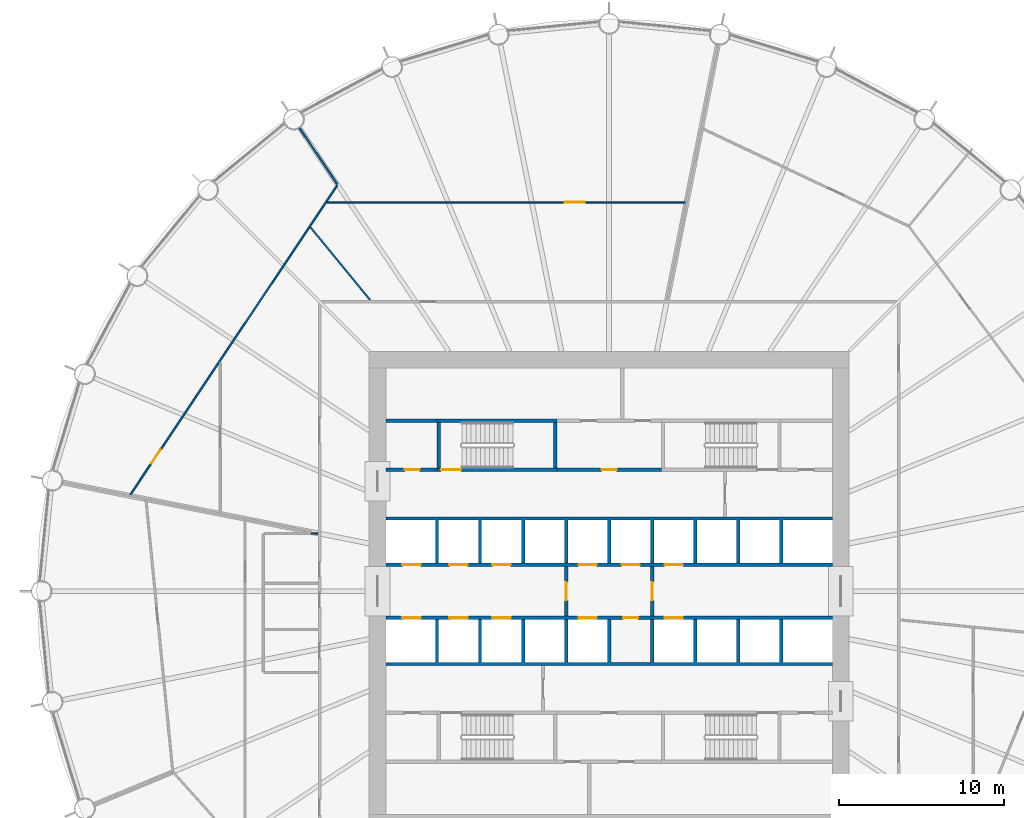
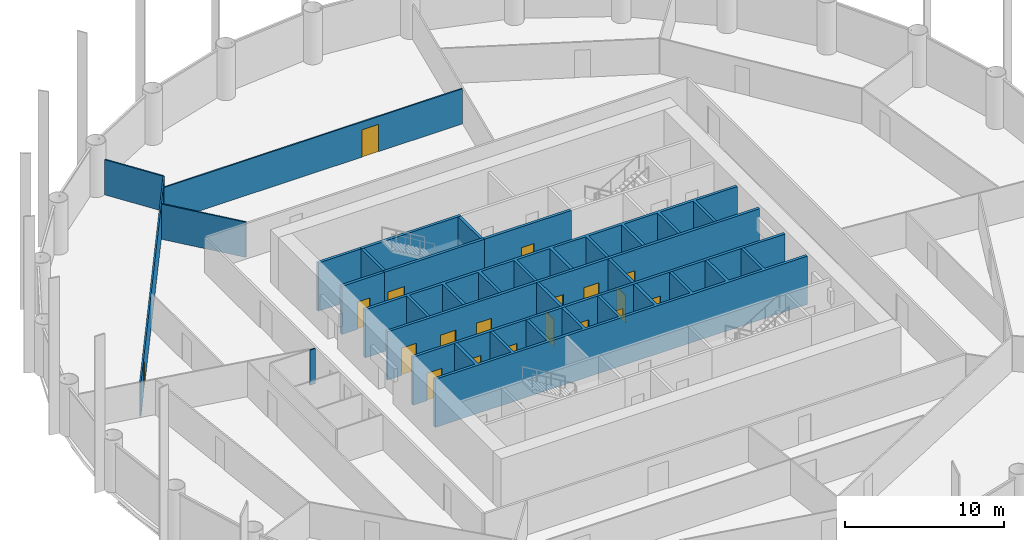
# One storey, part 6 of 10: 19 doors, 18 walls, 19 openings.
"""IFC4 building model written with IfcOpenShell, lengths in metres."""

import ifcopenshell
import ifcopenshell.guid

model = None  # the IFC model being written
_history = None  # IfcOwnerHistory: only IFC2X3 demands one
_inside = {}  # id of a spatial element -> (the spatial element, [elements in it])
_under = {}  # id of a project, library or spatial element -> (it, [spatial elements below it])
_declared = {}  # id of a project -> (the project, [libraries it declares])
_typed = {}  # id of a type object -> (the type object, [elements of that type])
_made_of = {}  # id of a material, layer set ... -> (it, [elements and type objects made of it])


def new_model(schema):
    """Start an empty IFC model of exactly this schema.

    Asked for "IFC4X3", IfcOpenShell would pick the latest addendum, in which some entities
    have other attributes; the version numbers below select the first issue.
    IFC2X3 requires an IfcOwnerHistory on every rooted entity: one is made here for all.
    """
    global model, _history
    if schema == "IFC4X3":
        model = ifcopenshell.file(schema_version=(4, 3, 0, 0))
    else:
        model = ifcopenshell.file(schema=schema)
    _inside.clear()
    _under.clear()
    _declared.clear()
    _typed.clear()
    _made_of.clear()
    _history = None
    if model.schema == "IFC2X3":
        org = make("IfcOrganization", Name="unknown")
        user = make(
            "IfcPersonAndOrganization",
            ThePerson=make("IfcPerson", FamilyName="unknown"),
            TheOrganization=org,
        )
        app = make(
            "IfcApplication",
            ApplicationDeveloper=org,
            Version="unknown",
            ApplicationFullName="unknown",
            ApplicationIdentifier="unknown",
        )
        _history = make(
            "IfcOwnerHistory",
            OwningUser=user,
            OwningApplication=app,
            ChangeAction="ADDED",
            CreationDate=0,
        )
    return model


def make(cls, **values):
    """One entity of the class cls with the attributes given. An attribute that is None is left unset."""
    return model.create_entity(
        cls, **{name: value for name, value in values.items() if value is not None}
    )


def rooted(cls, **values):
    """An entity with a GlobalId (a new one), such as an element, a storey or a relation."""
    return make(cls, GlobalId=ifcopenshell.guid.new(), OwnerHistory=_history, **values)


def si_unit(unit_type, name, prefix=None):
    """IfcSIUnit, for example si_unit("LENGTHUNIT", "METRE", prefix="MILLI")."""
    return make("IfcSIUnit", UnitType=unit_type, Prefix=prefix, Name=name)


def assignment(units):
    """IfcUnitAssignment: the units of a project."""
    return None if units is None else make("IfcUnitAssignment", Units=units)


def point(xyz):
    """IfcCartesianPoint."""
    return None if xyz is None else make("IfcCartesianPoint", Coordinates=xyz)


def direction(xyz):
    """IfcDirection."""
    return None if xyz is None else make("IfcDirection", DirectionRatios=xyz)


def frame(location, z_axis=None, x_axis=None):
    """IfcAxis2Placement3D, a coordinate frame: its origin and axes. An axis left out is left unset."""
    return make(
        "IfcAxis2Placement3D",
        Location=point(location),
        Axis=direction(z_axis),
        RefDirection=direction(x_axis),
    )


def frame_2d(location, x_axis=None):
    """IfcAxis2Placement2D, a coordinate frame in the plane: its origin and x axis."""
    return make(
        "IfcAxis2Placement2D", Location=point(location), RefDirection=direction(x_axis)
    )


def origin():
    """The frame at (0, 0, 0) with its axes left unset."""
    return frame((0.0, 0.0, 0.0))


def place(relative_to, where):
    """IfcLocalPlacement: puts the frame where relative to a parent placement (None: the world)."""
    return make(
        "IfcLocalPlacement", PlacementRelTo=relative_to, RelativePlacement=where
    )


def context(
    kind, dimensions, precision=None, world=None, true_north=None, identifier=None
):
    """IfcGeometricRepresentationContext, for example the 3D "Model" context."""
    return make(
        "IfcGeometricRepresentationContext",
        ContextIdentifier=identifier,
        ContextType=kind,
        CoordinateSpaceDimension=dimensions,
        Precision=precision,
        WorldCoordinateSystem=world,
        TrueNorth=true_north,
    )


def subcontext(parent, identifier, kind, view, scale=None):
    """IfcGeometricRepresentationSubContext, for example "Body" below "Model"."""
    return make(
        "IfcGeometricRepresentationSubContext",
        ContextIdentifier=identifier,
        ContextType=kind,
        ParentContext=parent,
        TargetScale=scale,
        TargetView=view,
    )


def project(units=None, contexts=None):
    """IfcProject with its units and contexts."""
    return rooted(
        "IfcProject",
        Name="project",
        RepresentationContexts=contexts,
        UnitsInContext=assignment(units),
    )


def spatial(cls, under=None, at=None, **own):
    """A site, building, storey or space (cls), placed at a placement, below another one or the project."""
    s = rooted(cls, ObjectPlacement=at, **own)
    if under is not None:
        _under.setdefault(under.id(), (under, []))[1].append(s)
    return s


def polyline(points):
    """IfcPolyline through the points."""
    return make("IfcPolyline", Points=[point(p) for p in points])


def profile(cls, at=None, kind="AREA", **sizes):
    """A parametric profile (cls). Its sizes go by their IFC names, for example OverallWidth=200.0."""
    return make(cls, ProfileType=kind, Position=at, **sizes)


def rectangle(**sizes):
    """IfcRectangleProfileDef."""
    return profile("IfcRectangleProfileDef", **sizes)


def outline(outer, holes=None, kind="AREA"):
    """IfcArbitraryClosedProfileDef: a profile drawn as a closed curve; with holes, ...WithVoids."""
    if holes is None:
        return make("IfcArbitraryClosedProfileDef", ProfileType=kind, OuterCurve=outer)
    return make(
        "IfcArbitraryProfileDefWithVoids",
        ProfileType=kind,
        OuterCurve=outer,
        InnerCurves=holes,
    )


def extrude(swept, where, along, depth):
    """IfcExtrudedAreaSolid: the profile swept, set in the frame where, extruded along a direction by depth."""
    return make(
        "IfcExtrudedAreaSolid",
        SweptArea=swept,
        Position=where,
        ExtrudedDirection=direction(along),
        Depth=depth,
    )


def shape(context_of_items, identifier, shape_type, items):
    """IfcShapeRepresentation: the items that make up one representation, for example the "Body"."""
    return make(
        "IfcShapeRepresentation",
        ContextOfItems=context_of_items,
        RepresentationIdentifier=identifier,
        RepresentationType=shape_type,
        Items=items,
    )


def material(Name=None, Category=None):
    """IfcMaterial."""
    return make("IfcMaterial", Name=Name, Category=Category)


def layer(
    of_material, thickness, ventilated=None, Name=None, Category=None, Priority=None
):
    """IfcMaterialLayer: one layer of a wall or slab, of a material (None: an air gap)."""
    return make(
        "IfcMaterialLayer",
        Material=of_material,
        LayerThickness=thickness,
        IsVentilated=ventilated,
        Name=Name,
        Category=Category,
        Priority=Priority,
    )


def layer_set(layers, Name=None):
    """IfcMaterialLayerSet."""
    return make("IfcMaterialLayerSet", MaterialLayers=layers, LayerSetName=Name)


def made_of(thing, what):
    """Note that an element or type object is made of a material, layer set ...; save() writes the relation."""
    if what is not None:
        _made_of.setdefault(what.id(), (what, []))[1].append(thing)
    return thing


def type_object(cls, material=None, **own):
    """A type object (cls), such as IfcWallType, which elements share."""
    return made_of(rooted(cls, **own), material)


def element(
    cls,
    number,
    at=None,
    inside=None,
    cuts=None,
    type_object=None,
    material=None,
    context=None,
    identifier="Body",
    shape_type=None,
    held_by="IfcProductDefinitionShape",
    body=None,
    shapes=None,
    **own,
):
    """One element of the class cls, such as IfcWall. Its Tag is "e" and its number.

    at: its placement. inside: the storey or other place that contains it. cuts: it is an
    opening in that element (IfcRelVoidsElement). A single representation is given by context,
    identifier, shape_type and body (its items); several are given by shapes. held_by: the class
    of the entity that holds the representations. save() writes the other relations.
    """
    e = rooted(cls, Tag="e%d" % number, ObjectPlacement=at, **own)
    if body is not None:
        shapes = [shape(context, identifier, shape_type, body)]
    if shapes is not None:
        e.Representation = make(held_by, Representations=shapes)
    if inside is not None:
        _inside.setdefault(inside.id(), (inside, []))[1].append(e)
    if cuts is not None:
        rooted(
            "IfcRelVoidsElement", RelatingBuildingElement=cuts, RelatedOpeningElement=e
        )
    if type_object is not None:
        _typed.setdefault(type_object.id(), (type_object, []))[1].append(e)
    return made_of(e, material)


def fill(opening, filler):
    """IfcRelFillsElement: the door or window that sits in an opening."""
    return rooted(
        "IfcRelFillsElement",
        RelatingOpeningElement=opening,
        RelatedBuildingElement=filler,
    )


def aggregate(whole, parts):
    """IfcRelAggregates: a whole, such as a stair, and the parts it consists of."""
    return rooted("IfcRelAggregates", RelatingObject=whole, RelatedObjects=parts)


def save(model, path):
    """Write the relations noted so far, then the file.

    IfcRelAggregates (storeys below a building ...), IfcRelContainedInSpatialStructure (elements
    in a storey), IfcRelDefinesByType, IfcRelAssociatesMaterial and IfcRelDeclares: one each for
    every whole, place, type object, material and project.
    """
    for whole, parts in _under.values():
        aggregate(whole, parts)
    for where, things in _inside.values():
        rooted(
            "IfcRelContainedInSpatialStructure",
            RelatedElements=things,
            RelatingStructure=where,
        )
    for kind, things in _typed.values():
        rooted("IfcRelDefinesByType", RelatedObjects=things, RelatingType=kind)
    for what, things in _made_of.values():
        rooted("IfcRelAssociatesMaterial", RelatedObjects=things, RelatingMaterial=what)
    for by, libraries in _declared.values():
        rooted("IfcRelDeclares", RelatingContext=by, RelatedDefinitions=libraries)
    model.write(path)


model = new_model("IFC4")

# Units and contexts
model_context = context("Model", 3, precision=1e-05, world=origin(), true_north=direction((0.0, 1.0)))
body_context = subcontext(model_context, "Body", "Model", "MODEL_VIEW")
ifc_project = project(units=[si_unit("LENGTHUNIT", "METRE"), si_unit("AREAUNIT", "SQUARE_METRE"), si_unit("VOLUMEUNIT", "CUBIC_METRE"), si_unit("PLANEANGLEUNIT", "RADIAN"), si_unit("MASSUNIT", "GRAM", prefix="KILO")], contexts=[model_context])

# Site, building, storey
site_placement = place(None, origin())
site = spatial("IfcSite", under=ifc_project, at=site_placement, CompositionType="ELEMENT")
building_placement = place(site_placement, origin())
building = spatial("IfcBuilding", under=site, at=building_placement, Name="Corvane Civic Tower", CompositionType="ELEMENT")
storey_placement = place(building_placement, frame((0.0, 0.0, 106.5)))
storey = spatial("IfcBuildingStorey", under=building, at=storey_placement, Name="L24", CompositionType="ELEMENT", Elevation=106.5)

# Wall, openings, doors
ifc_material_1 = material(Name="Concrete C30/37", Category="concrete")
ifc_layer_1 = layer(ifc_material_1, 0.199951171875)
ifc_layer_set_1 = layer_set([ifc_layer_1], Name="Concrete C30/37")
wall_type_1 = type_object("IfcWallType", Name="CR-WALL-200", PredefinedType="PARTITIONING", material=ifc_layer_set_1)
wall_1_placement = place(storey_placement, frame((-13.5, -1.60009765625, 0.0), z_axis=(0.0, 0.0, 1.0), x_axis=(1.0, 0.0, 0.0)))
wall_1 = element("IfcWall", 1, at=wall_1_placement, inside=storey, type_object=wall_type_1, Name="L24 lift shaft wall", PredefinedType="PARTITIONING", context=body_context, shape_type="SweptSolid", body=[
    extrude(rectangle(XDim=27.0, YDim=0.199951171875, at=frame_2d((13.5, 0.0))), origin(), (0.0, 0.0, 1.0), 3.699951171875),
])
opening_1_placement = place(wall_1_placement, frame((1.0, 0.0, 0.0)))
opening_1 = element("IfcOpeningElement", 2, at=opening_1_placement, cuts=wall_1, Name="Opening LD", PredefinedType="OPENING", context=body_context, shape_type="SweptSolid", body=[
    extrude(rectangle(XDim=1.10009765625, YDim=2.10009765625, at=frame_2d((0.550048828125, 1.050048828125))), frame((0.0, 0.10986328125, 0.0), z_axis=(0.0, -1.0, 0.0), x_axis=(1.0, 0.0, 0.0)), (0.0, 0.0, 1.0), 0.219970703125),
])
opening_2_placement = place(wall_1_placement, frame((3.85009765625, 0.0, 0.0)))
opening_2 = element("IfcOpeningElement", 3, at=opening_2_placement, cuts=wall_1, Name="Opening LD", PredefinedType="OPENING", context=body_context, shape_type="SweptSolid", body=[
    extrude(rectangle(XDim=1.10009765625, YDim=2.10009765625, at=frame_2d((0.550048828125, 1.050048828125))), frame((0.0, 0.10986328125, 0.0), z_axis=(0.0, -1.0, 0.0), x_axis=(1.0, 0.0, 0.0)), (0.0, 0.0, 1.0), 0.219970703125),
])
opening_3_placement = place(wall_1_placement, frame((6.449951171875, 0.0, 0.0)))
opening_3 = element("IfcOpeningElement", 4, at=opening_3_placement, cuts=wall_1, Name="Opening LD", PredefinedType="OPENING", context=body_context, shape_type="SweptSolid", body=[
    extrude(rectangle(XDim=1.10009765625, YDim=2.10009765625, at=frame_2d((0.550048828125, 1.050048828125))), frame((0.0, 0.10986328125, 0.0), z_axis=(0.0, -1.0, 0.0), x_axis=(1.0, 0.0, 0.0)), (0.0, 0.0, 1.0), 0.219970703125),
])
opening_4_placement = place(wall_1_placement, frame((11.64990234375, 0.0, 0.0)))
opening_4 = element("IfcOpeningElement", 5, at=opening_4_placement, cuts=wall_1, Name="Opening LD", PredefinedType="OPENING", context=body_context, shape_type="SweptSolid", body=[
    extrude(rectangle(XDim=1.10009765625, YDim=2.10009765625, at=frame_2d((0.550048828125, 1.050048828125))), frame((0.0, 0.10986328125, 0.0), z_axis=(0.0, -1.0, 0.0), x_axis=(1.0, 0.0, 0.0)), (0.0, 0.0, 1.0), 0.219970703125),
])
opening_5_placement = place(wall_1_placement, frame((14.35009765625, 0.0, 0.0)))
opening_5 = element("IfcOpeningElement", 6, at=opening_5_placement, cuts=wall_1, Name="Opening L24.C01", PredefinedType="OPENING", context=body_context, shape_type="SweptSolid", body=[
    extrude(rectangle(XDim=0.89990234375, YDim=2.10009765625, at=frame_2d((0.449951171875, 1.050048828125))), frame((0.0, 0.10986328125, 0.0), z_axis=(0.0, -1.0, 0.0), x_axis=(1.0, 0.0, 0.0)), (0.0, 0.0, 1.0), 0.219970703125),
])
opening_6_placement = place(wall_1_placement, frame((16.85009765625, 0.0, 0.0)))
opening_6 = element("IfcOpeningElement", 7, at=opening_6_placement, cuts=wall_1, Name="Opening LD", PredefinedType="OPENING", context=body_context, shape_type="SweptSolid", body=[
    extrude(rectangle(XDim=1.10009765625, YDim=2.10009765625, at=frame_2d((0.550048828125, 1.050048828125))), frame((0.0, 0.10986328125, 0.0), z_axis=(0.0, -1.0, 0.0), x_axis=(1.0, 0.0, 0.0)), (0.0, 0.0, 1.0), 0.219970703125),
])
ifc_material_2 = material(Name="Steel fire door leaf", Category="steel")
door_type_1 = type_object("IfcDoorType", Name="CR-DOOR-900", OperationType="SINGLE_SWING_LEFT", PredefinedType="DOOR", material=ifc_material_2)
door_1_placement = place(opening_5_placement, origin())
door_1 = element("IfcDoor", 8, at=door_1_placement, inside=storey, type_object=door_type_1, Name="L24 door", OperationType="SINGLE_SWING_LEFT", OverallHeight=2.10009765625, OverallWidth=0.89990234375, PredefinedType="DOOR", context=body_context, shape_type="SweptSolid", body=[
    extrude(rectangle(XDim=0.89990234375, YDim=2.10009765625, at=frame_2d((0.449951171875, 1.050048828125))), frame((0.0, 0.02490234375, 0.0), z_axis=(0.0, -1.0, 0.0), x_axis=(1.0, 0.0, 0.0)), (0.0, 0.0, 1.0), 0.050048828125),
])
fill(opening_5, door_1)
ifc_material_3 = material(Name="Stainless steel 316 door leaves", Category="steel")
door_type_2 = type_object("IfcDoorType", Name="LD", OperationType="DOUBLE_DOOR_SLIDING", PredefinedType="DOOR", material=ifc_material_3)
door_2_placement = place(opening_1_placement, origin())
door_2 = element("IfcDoor", 9, at=door_2_placement, inside=storey, type_object=door_type_2, Name="L24 landing door", OperationType="DOUBLE_DOOR_SLIDING", OverallHeight=2.10009765625, OverallWidth=1.10009765625, PredefinedType="DOOR", context=body_context, shape_type="SweptSolid", body=[
    extrude(rectangle(XDim=1.10009765625, YDim=2.10009765625, at=frame_2d((0.550048828125, 1.050048828125))), frame((0.0, 0.02490234375, 0.0), z_axis=(0.0, -1.0, 0.0), x_axis=(1.0, 0.0, 0.0)), (0.0, 0.0, 1.0), 0.050048828125),
])
fill(opening_1, door_2)
door_3_placement = place(opening_2_placement, origin())
door_3 = element("IfcDoor", 10, at=door_3_placement, inside=storey, type_object=door_type_2, Name="L24 landing door", OperationType="DOUBLE_DOOR_SLIDING", OverallHeight=2.10009765625, OverallWidth=1.10009765625, PredefinedType="DOOR", context=body_context, shape_type="SweptSolid", body=[
    extrude(rectangle(XDim=1.10009765625, YDim=2.10009765625, at=frame_2d((0.550048828125, 1.050048828125))), frame((0.0, 0.02490234375, 0.0), z_axis=(0.0, -1.0, 0.0), x_axis=(1.0, 0.0, 0.0)), (0.0, 0.0, 1.0), 0.050048828125),
])
fill(opening_2, door_3)
door_4_placement = place(opening_3_placement, origin())
door_4 = element("IfcDoor", 11, at=door_4_placement, inside=storey, type_object=door_type_2, Name="L24 landing door", OperationType="DOUBLE_DOOR_SLIDING", OverallHeight=2.10009765625, OverallWidth=1.10009765625, PredefinedType="DOOR", context=body_context, shape_type="SweptSolid", body=[
    extrude(rectangle(XDim=1.10009765625, YDim=2.10009765625, at=frame_2d((0.550048828125, 1.050048828125))), frame((0.0, 0.02490234375, 0.0), z_axis=(0.0, -1.0, 0.0), x_axis=(1.0, 0.0, 0.0)), (0.0, 0.0, 1.0), 0.050048828125),
])
fill(opening_3, door_4)
door_5_placement = place(opening_4_placement, origin())
door_5 = element("IfcDoor", 12, at=door_5_placement, inside=storey, type_object=door_type_2, Name="L24 landing door", OperationType="DOUBLE_DOOR_SLIDING", OverallHeight=2.10009765625, OverallWidth=1.10009765625, PredefinedType="DOOR", context=body_context, shape_type="SweptSolid", body=[
    extrude(rectangle(XDim=1.10009765625, YDim=2.10009765625, at=frame_2d((0.550048828125, 1.050048828125))), frame((0.0, 0.02490234375, 0.0), z_axis=(0.0, -1.0, 0.0), x_axis=(1.0, 0.0, 0.0)), (0.0, 0.0, 1.0), 0.050048828125),
])
fill(opening_4, door_5)
door_6_placement = place(opening_6_placement, origin())
door_6 = element("IfcDoor", 13, at=door_6_placement, inside=storey, type_object=door_type_2, Name="L24 landing door", OperationType="DOUBLE_DOOR_SLIDING", OverallHeight=2.10009765625, OverallWidth=1.10009765625, PredefinedType="DOOR", context=body_context, shape_type="SweptSolid", body=[
    extrude(rectangle(XDim=1.10009765625, YDim=2.10009765625, at=frame_2d((0.550048828125, 1.050048828125))), frame((0.0, 0.02490234375, 0.0), z_axis=(0.0, -1.0, 0.0), x_axis=(1.0, 0.0, 0.0)), (0.0, 0.0, 1.0), 0.050048828125),
])
fill(opening_6, door_6)

wall_2_placement = place(storey_placement, frame((-13.5, 1.60009765625, 0.0), z_axis=(0.0, 0.0, 1.0), x_axis=(1.0, 0.0, 0.0)))
wall_2 = element("IfcWall", 14, at=wall_2_placement, inside=storey, type_object=wall_type_1, Name="L24 lift shaft wall", PredefinedType="PARTITIONING", context=body_context, shape_type="SweptSolid", body=[
    extrude(rectangle(XDim=27.0, YDim=0.199951171875, at=frame_2d((13.5, 0.0))), origin(), (0.0, 0.0, 1.0), 3.699951171875),
])
opening_7_placement = place(wall_2_placement, frame((1.0, 0.0, 0.0)))
opening_7 = element("IfcOpeningElement", 15, at=opening_7_placement, cuts=wall_2, Name="Opening LD", PredefinedType="OPENING", context=body_context, shape_type="SweptSolid", body=[
    extrude(rectangle(XDim=1.10009765625, YDim=2.10009765625, at=frame_2d((0.550048828125, 1.050048828125))), frame((0.0, 0.10986328125, 0.0), z_axis=(0.0, -1.0, 0.0), x_axis=(1.0, 0.0, 0.0)), (0.0, 0.0, 1.0), 0.219970703125),
])
opening_8_placement = place(wall_2_placement, frame((3.85009765625, 0.0, 0.0)))
opening_8 = element("IfcOpeningElement", 16, at=opening_8_placement, cuts=wall_2, Name="Opening LD", PredefinedType="OPENING", context=body_context, shape_type="SweptSolid", body=[
    extrude(rectangle(XDim=1.10009765625, YDim=2.10009765625, at=frame_2d((0.550048828125, 1.050048828125))), frame((0.0, 0.10986328125, 0.0), z_axis=(0.0, -1.0, 0.0), x_axis=(1.0, 0.0, 0.0)), (0.0, 0.0, 1.0), 0.219970703125),
])
opening_9_placement = place(wall_2_placement, frame((6.449951171875, 0.0, 0.0)))
opening_9 = element("IfcOpeningElement", 17, at=opening_9_placement, cuts=wall_2, Name="Opening LD", PredefinedType="OPENING", context=body_context, shape_type="SweptSolid", body=[
    extrude(rectangle(XDim=1.10009765625, YDim=2.10009765625, at=frame_2d((0.550048828125, 1.050048828125))), frame((0.0, 0.10986328125, 0.0), z_axis=(0.0, -1.0, 0.0), x_axis=(1.0, 0.0, 0.0)), (0.0, 0.0, 1.0), 0.219970703125),
])
opening_10_placement = place(wall_2_placement, frame((11.64990234375, 0.0, 0.0)))
opening_10 = element("IfcOpeningElement", 18, at=opening_10_placement, cuts=wall_2, Name="Opening LD", PredefinedType="OPENING", context=body_context, shape_type="SweptSolid", body=[
    extrude(rectangle(XDim=1.10009765625, YDim=2.10009765625, at=frame_2d((0.550048828125, 1.050048828125))), frame((0.0, 0.10986328125, 0.0), z_axis=(0.0, -1.0, 0.0), x_axis=(1.0, 0.0, 0.0)), (0.0, 0.0, 1.0), 0.219970703125),
])
opening_11_placement = place(wall_2_placement, frame((14.25, 0.0, 0.0)))
opening_11 = element("IfcOpeningElement", 19, at=opening_11_placement, cuts=wall_2, Name="Opening LD", PredefinedType="OPENING", context=body_context, shape_type="SweptSolid", body=[
    extrude(rectangle(XDim=1.10009765625, YDim=2.10009765625, at=frame_2d((0.550048828125, 1.050048828125))), frame((0.0, 0.10986328125, 0.0), z_axis=(0.0, -1.0, 0.0), x_axis=(1.0, 0.0, 0.0)), (0.0, 0.0, 1.0), 0.219970703125),
])
opening_12_placement = place(wall_2_placement, frame((16.85009765625, 0.0, 0.0)))
opening_12 = element("IfcOpeningElement", 20, at=opening_12_placement, cuts=wall_2, Name="Opening LD", PredefinedType="OPENING", context=body_context, shape_type="SweptSolid", body=[
    extrude(rectangle(XDim=1.10009765625, YDim=2.10009765625, at=frame_2d((0.550048828125, 1.050048828125))), frame((0.0, 0.10986328125, 0.0), z_axis=(0.0, -1.0, 0.0), x_axis=(1.0, 0.0, 0.0)), (0.0, 0.0, 1.0), 0.219970703125),
])
door_7_placement = place(opening_7_placement, origin())
door_7 = element("IfcDoor", 21, at=door_7_placement, inside=storey, type_object=door_type_2, Name="L24 landing door", OperationType="DOUBLE_DOOR_SLIDING", OverallHeight=2.10009765625, OverallWidth=1.10009765625, PredefinedType="DOOR", context=body_context, shape_type="SweptSolid", body=[
    extrude(rectangle(XDim=1.10009765625, YDim=2.10009765625, at=frame_2d((0.550048828125, 1.050048828125))), frame((0.0, 0.02490234375, 0.0), z_axis=(0.0, -1.0, 0.0), x_axis=(1.0, 0.0, 0.0)), (0.0, 0.0, 1.0), 0.050048828125),
])
fill(opening_7, door_7)
door_8_placement = place(opening_8_placement, origin())
door_8 = element("IfcDoor", 22, at=door_8_placement, inside=storey, type_object=door_type_2, Name="L24 landing door", OperationType="DOUBLE_DOOR_SLIDING", OverallHeight=2.10009765625, OverallWidth=1.10009765625, PredefinedType="DOOR", context=body_context, shape_type="SweptSolid", body=[
    extrude(rectangle(XDim=1.10009765625, YDim=2.10009765625, at=frame_2d((0.550048828125, 1.050048828125))), frame((0.0, 0.02490234375, 0.0), z_axis=(0.0, -1.0, 0.0), x_axis=(1.0, 0.0, 0.0)), (0.0, 0.0, 1.0), 0.050048828125),
])
fill(opening_8, door_8)
door_9_placement = place(opening_9_placement, origin())
door_9 = element("IfcDoor", 23, at=door_9_placement, inside=storey, type_object=door_type_2, Name="L24 landing door", OperationType="DOUBLE_DOOR_SLIDING", OverallHeight=2.10009765625, OverallWidth=1.10009765625, PredefinedType="DOOR", context=body_context, shape_type="SweptSolid", body=[
    extrude(rectangle(XDim=1.10009765625, YDim=2.10009765625, at=frame_2d((0.550048828125, 1.050048828125))), frame((0.0, 0.02490234375, 0.0), z_axis=(0.0, -1.0, 0.0), x_axis=(1.0, 0.0, 0.0)), (0.0, 0.0, 1.0), 0.050048828125),
])
fill(opening_9, door_9)
door_10_placement = place(opening_10_placement, origin())
door_10 = element("IfcDoor", 24, at=door_10_placement, inside=storey, type_object=door_type_2, Name="L24 landing door", OperationType="DOUBLE_DOOR_SLIDING", OverallHeight=2.10009765625, OverallWidth=1.10009765625, PredefinedType="DOOR", context=body_context, shape_type="SweptSolid", body=[
    extrude(rectangle(XDim=1.10009765625, YDim=2.10009765625, at=frame_2d((0.550048828125, 1.050048828125))), frame((0.0, 0.02490234375, 0.0), z_axis=(0.0, -1.0, 0.0), x_axis=(1.0, 0.0, 0.0)), (0.0, 0.0, 1.0), 0.050048828125),
])
fill(opening_10, door_10)
door_11_placement = place(opening_11_placement, origin())
door_11 = element("IfcDoor", 25, at=door_11_placement, inside=storey, type_object=door_type_2, Name="L24 landing door", OperationType="DOUBLE_DOOR_SLIDING", OverallHeight=2.10009765625, OverallWidth=1.10009765625, PredefinedType="DOOR", context=body_context, shape_type="SweptSolid", body=[
    extrude(rectangle(XDim=1.10009765625, YDim=2.10009765625, at=frame_2d((0.550048828125, 1.050048828125))), frame((0.0, 0.02490234375, 0.0), z_axis=(0.0, -1.0, 0.0), x_axis=(1.0, 0.0, 0.0)), (0.0, 0.0, 1.0), 0.050048828125),
])
fill(opening_11, door_11)
door_12_placement = place(opening_12_placement, origin())
door_12 = element("IfcDoor", 26, at=door_12_placement, inside=storey, type_object=door_type_2, Name="L24 landing door", OperationType="DOUBLE_DOOR_SLIDING", OverallHeight=2.10009765625, OverallWidth=1.10009765625, PredefinedType="DOOR", context=body_context, shape_type="SweptSolid", body=[
    extrude(rectangle(XDim=1.10009765625, YDim=2.10009765625, at=frame_2d((0.550048828125, 1.050048828125))), frame((0.0, 0.02490234375, 0.0), z_axis=(0.0, -1.0, 0.0), x_axis=(1.0, 0.0, 0.0)), (0.0, 0.0, 1.0), 0.050048828125),
])
fill(opening_12, door_12)

# Wall, opening, door
wall_3_placement = place(storey_placement, frame((-13.5, 7.35009765625, 0.0), z_axis=(0.0, 0.0, 1.0), x_axis=(1.0, 0.0, 0.0)))
wall_3 = element("IfcWall", 27, at=wall_3_placement, inside=storey, type_object=wall_type_1, Name="L24 core partition wall", PredefinedType="PARTITIONING", context=body_context, shape_type="SweptSolid", body=[
    extrude(rectangle(XDim=3.10009765625, YDim=0.199951171875, at=frame_2d((1.550048828125, 0.0))), origin(), (0.0, 0.0, 1.0), 3.699951171875),
])
opening_13_placement = place(wall_3_placement, frame((1.14990234375, 0.0, 0.0)))
opening_13 = element("IfcOpeningElement", 28, at=opening_13_placement, cuts=wall_3, Name="Opening L24.C08", PredefinedType="OPENING", context=body_context, shape_type="SweptSolid", body=[
    extrude(rectangle(XDim=0.89990234375, YDim=2.10009765625, at=frame_2d((0.449951171875, 1.050048828125))), frame((0.0, 0.10986328125, 0.0), z_axis=(0.0, -1.0, 0.0), x_axis=(1.0, 0.0, 0.0)), (0.0, 0.0, 1.0), 0.219970703125),
])
door_13_placement = place(opening_13_placement, origin())
door_13 = element("IfcDoor", 29, at=door_13_placement, inside=storey, type_object=door_type_1, Name="L24 door", OperationType="SINGLE_SWING_LEFT", OverallHeight=2.10009765625, OverallWidth=0.89990234375, PredefinedType="DOOR", context=body_context, shape_type="SweptSolid", body=[
    extrude(rectangle(XDim=0.89990234375, YDim=2.10009765625, at=frame_2d((0.449951171875, 1.050048828125))), frame((0.0, 0.02490234375, 0.0), z_axis=(0.0, -1.0, 0.0), x_axis=(1.0, 0.0, 0.0)), (0.0, 0.0, 1.0), 0.050048828125),
])
fill(opening_13, door_13)

wall_4_placement = place(storey_placement, frame((-3.14990234375, 7.35009765625, 0.0), z_axis=(0.0, 0.0, 1.0), x_axis=(1.0, 0.0, 0.0)))
wall_4 = element("IfcWall", 30, at=wall_4_placement, inside=storey, type_object=wall_type_1, Name="L24 core partition wall", PredefinedType="PARTITIONING", context=body_context, shape_type="SweptSolid", body=[
    extrude(rectangle(XDim=6.2998046875, YDim=0.199951171875, at=frame_2d((3.14990234375, 0.0))), origin(), (0.0, 0.0, 1.0), 3.699951171875),
])
opening_14_placement = place(wall_4_placement, frame((2.699951171875, 0.0, 0.0)))
opening_14 = element("IfcOpeningElement", 31, at=opening_14_placement, cuts=wall_4, Name="Opening L24.C02", PredefinedType="OPENING", context=body_context, shape_type="SweptSolid", body=[
    extrude(rectangle(XDim=0.89990234375, YDim=2.10009765625, at=frame_2d((0.449951171875, 1.050048828125))), frame((0.0, 0.10986328125, 0.0), z_axis=(0.0, -1.0, 0.0), x_axis=(1.0, 0.0, 0.0)), (0.0, 0.0, 1.0), 0.219970703125),
])
door_14_placement = place(opening_14_placement, origin())
door_14 = element("IfcDoor", 32, at=door_14_placement, inside=storey, type_object=door_type_1, Name="L24 door", OperationType="SINGLE_SWING_LEFT", OverallHeight=2.10009765625, OverallWidth=0.89990234375, PredefinedType="DOOR", context=body_context, shape_type="SweptSolid", body=[
    extrude(rectangle(XDim=0.89990234375, YDim=2.10009765625, at=frame_2d((0.449951171875, 1.050048828125))), frame((0.0, 0.02490234375, 0.0), z_axis=(0.0, -1.0, 0.0), x_axis=(1.0, 0.0, 0.0)), (0.0, 0.0, 1.0), 0.050048828125),
])
fill(opening_14, door_14)

wall_5_placement = place(storey_placement, frame((-2.60009765625, -1.5, 0.0), z_axis=(0.0, 0.0, 1.0), x_axis=(0.0, 1.0, 0.0)))
wall_5 = element("IfcWall", 33, at=wall_5_placement, inside=storey, type_object=wall_type_1, Name="L24 firefighting lobby wall", PredefinedType="PARTITIONING", context=body_context, shape_type="SweptSolid", body=[
    extrude(rectangle(XDim=3.0, YDim=0.199951171875, at=frame_2d((1.5, 0.0))), origin(), (0.0, 0.0, 1.0), 3.699951171875),
])
opening_15_placement = place(wall_5_placement, frame((0.949951171875, 0.0, 0.0)))
opening_15 = element("IfcOpeningElement", 34, at=opening_15_placement, cuts=wall_5, Name="Opening L24.C16", PredefinedType="OPENING", context=body_context, shape_type="SweptSolid", body=[
    extrude(rectangle(XDim=1.10009765625, YDim=2.10009765625, at=frame_2d((0.550048828125, 1.050048828125))), frame((0.0, 0.10986328125, 0.0), z_axis=(0.0, -1.0, 0.0), x_axis=(1.0, 0.0, 0.0)), (0.0, 0.0, 1.0), 0.219970703125),
])
ifc_material_4 = material(Name="Steel fire door leaf", Category="steel")
door_type_3 = type_object("IfcDoorType", Name="CR-DOOR-FFL-1100", OperationType="SINGLE_SWING_LEFT", PredefinedType="DOOR", material=ifc_material_4)
door_15_placement = place(opening_15_placement, origin())
door_15 = element("IfcDoor", 35, at=door_15_placement, inside=storey, type_object=door_type_3, Name="L24 lobby door", OperationType="SINGLE_SWING_LEFT", OverallHeight=2.10009765625, OverallWidth=1.10009765625, PredefinedType="DOOR", context=body_context, shape_type="SweptSolid", body=[
    extrude(rectangle(XDim=1.10009765625, YDim=2.10009765625, at=frame_2d((0.550048828125, 1.050048828125))), frame((0.0, 0.02490234375, 0.0), z_axis=(0.0, -1.0, 0.0), x_axis=(1.0, 0.0, 0.0)), (0.0, 0.0, 1.0), 0.050048828125),
])
fill(opening_15, door_15)

wall_6_placement = place(storey_placement, frame((2.60009765625, -1.5, 0.0), z_axis=(0.0, 0.0, 1.0), x_axis=(0.0, 1.0, 0.0)))
wall_6 = element("IfcWall", 36, at=wall_6_placement, inside=storey, type_object=wall_type_1, Name="L24 firefighting lobby wall", PredefinedType="PARTITIONING", context=body_context, shape_type="SweptSolid", body=[
    extrude(rectangle(XDim=3.0, YDim=0.199951171875, at=frame_2d((1.5, 0.0))), origin(), (0.0, 0.0, 1.0), 3.699951171875),
])
opening_16_placement = place(wall_6_placement, frame((0.949951171875, 0.0, 0.0)))
opening_16 = element("IfcOpeningElement", 37, at=opening_16_placement, cuts=wall_6, Name="Opening L24.C17", PredefinedType="OPENING", context=body_context, shape_type="SweptSolid", body=[
    extrude(rectangle(XDim=1.10009765625, YDim=2.10009765625, at=frame_2d((0.550048828125, 1.050048828125))), frame((0.0, 0.10986328125, 0.0), z_axis=(0.0, -1.0, 0.0), x_axis=(1.0, 0.0, 0.0)), (0.0, 0.0, 1.0), 0.219970703125),
])
door_16_placement = place(opening_16_placement, origin())
door_16 = element("IfcDoor", 38, at=door_16_placement, inside=storey, type_object=door_type_3, Name="L24 lobby door", OperationType="SINGLE_SWING_LEFT", OverallHeight=2.10009765625, OverallWidth=1.10009765625, PredefinedType="DOOR", context=body_context, shape_type="SweptSolid", body=[
    extrude(rectangle(XDim=1.10009765625, YDim=2.10009765625, at=frame_2d((0.550048828125, 1.050048828125))), frame((0.0, 0.02490234375, 0.0), z_axis=(0.0, -1.0, 0.0), x_axis=(1.0, 0.0, 0.0)), (0.0, 0.0, 1.0), 0.050048828125),
])
fill(opening_16, door_16)

# Walls
wall_7_placement = place(storey_placement, origin())
element("IfcWall", 39, at=wall_7_placement, inside=storey, type_object=wall_type_1, Name="L24 core partition wall", PredefinedType="PARTITIONING", context=body_context, shape_type="SweptSolid", body=[
    extrude(outline(polyline([(-13.5, 10.199951171875), (-13.5, 10.39990234375), (-10.39990234375, 10.39990234375), (-10.39990234375, 10.199951171875), (-13.5, 10.199951171875)])), origin(), (0.0, 0.0, 1.0), 3.699951171875),
])
wall_8_placement = place(storey_placement, origin())
element("IfcWall", 40, at=wall_8_placement, inside=storey, type_object=wall_type_1, Name="L24 core partition wall", PredefinedType="PARTITIONING", context=body_context, shape_type="SweptSolid", body=[
    extrude(outline(polyline([(-10.5, -1.699951171875), (-10.300048828125, -1.699951171875), (-10.300048828125, -4.300048828125), (-7.89990234375, -4.300048828125), (-7.89990234375, -1.699951171875), (-7.699951171875, -1.699951171875), (-7.699951171875, -4.300048828125), (-5.300048828125, -4.300048828125), (-5.300048828125, -1.699951171875), (-5.10009765625, -1.699951171875), (-5.10009765625, -4.300048828125), (-2.699951171875, -4.300048828125), (-2.699951171875, -1.699951171875), (-2.5, -1.699951171875), (-2.5, -4.300048828125), (-0.10009765625, -4.300048828125), (-0.10009765625, -1.699951171875), (0.10009765625, -1.699951171875), (0.10009765625, -4.300048828125), (2.5, -4.300048828125), (2.5, -1.699951171875), (2.699951171875, -1.699951171875), (2.699951171875, -4.300048828125), (5.10009765625, -4.300048828125), (5.10009765625, -1.699951171875), (5.300048828125, -1.699951171875), (5.300048828125, -4.300048828125), (7.699951171875, -4.300048828125), (7.699951171875, -1.699951171875), (7.89990234375, -1.699951171875), (7.89990234375, -4.300048828125), (10.300048828125, -4.300048828125), (10.300048828125, -1.699951171875), (10.5, -1.699951171875), (10.5, -4.300048828125), (13.5, -4.300048828125), (13.5, -4.5), (-13.5, -4.5), (-13.5, -4.300048828125), (-10.5, -4.300048828125), (-10.5, -1.699951171875)])), origin(), (0.0, 0.0, 1.0), 3.699951171875),
])
wall_9_placement = place(storey_placement, origin())
element("IfcWall", 41, at=wall_9_placement, inside=storey, type_object=wall_type_1, Name="L24 core partition wall", PredefinedType="PARTITIONING", context=body_context, shape_type="SweptSolid", body=[
    extrude(outline(polyline([(-5.10009765625, 4.300048828125), (-5.10009765625, 1.699951171875), (-5.300048828125, 1.699951171875), (-5.300048828125, 4.300048828125), (-7.699951171875, 4.300048828125), (-7.699951171875, 1.699951171875), (-7.89990234375, 1.699951171875), (-7.89990234375, 4.300048828125), (-10.300048828125, 4.300048828125), (-10.300048828125, 1.699951171875), (-10.5, 1.699951171875), (-10.5, 4.300048828125), (-13.5, 4.300048828125), (-13.5, 4.5), (13.5, 4.5), (13.5, 4.300048828125), (10.5, 4.300048828125), (10.5, 1.699951171875), (10.300048828125, 1.699951171875), (10.300048828125, 4.300048828125), (7.89990234375, 4.300048828125), (7.89990234375, 1.699951171875), (7.699951171875, 1.699951171875), (7.699951171875, 4.300048828125), (5.300048828125, 4.300048828125), (5.300048828125, 1.699951171875), (5.10009765625, 1.699951171875), (5.10009765625, 4.300048828125), (2.699951171875, 4.300048828125), (2.699951171875, 1.699951171875), (2.5, 1.699951171875), (2.5, 4.300048828125), (0.10009765625, 4.300048828125), (0.10009765625, 1.699951171875), (-0.10009765625, 1.699951171875), (-0.10009765625, 4.300048828125), (-2.5, 4.300048828125), (-2.5, 1.699951171875), (-2.699951171875, 1.699951171875), (-2.699951171875, 4.300048828125), (-5.10009765625, 4.300048828125)])), origin(), (0.0, 0.0, 1.0), 3.699951171875),
])

# Wall, opening, door
ifc_material_5 = material(Name="Plasterboard")
ifc_layer_2 = layer(ifc_material_5, 0.10009765625)
ifc_layer_set_2 = layer_set([ifc_layer_2], Name="Plasterboard")
wall_type_2 = type_object("IfcWallType", Name="Partition 100 plasterboard on studs", PredefinedType="PARTITIONING", material=ifc_layer_set_2)
wall_10_placement = place(storey_placement, frame((-28.934814453125, 5.825927734375, 0.0), z_axis=(0.0, 0.0, 1.0), x_axis=(0.555566129139, 0.831472354413, 0.0)))
wall_10 = element("IfcWall", 42, at=wall_10_placement, inside=storey, type_object=wall_type_2, Name="Partition L24.028", PredefinedType="PARTITIONING", context=body_context, shape_type="SweptSolid", body=[
    extrude(rectangle(XDim=22.50390625, YDim=0.10009765625, at=frame_2d((11.251953125, 0.0))), origin(), (0.0, 0.0, 1.0), 2.699951171875),
])
opening_17_placement = place(wall_10_placement, frame((2.28125, 0.0, 0.0)))
opening_17 = element("IfcOpeningElement", 43, at=opening_17_placement, cuts=wall_10, Name="Opening L24.021", PredefinedType="OPENING", context=body_context, shape_type="SweptSolid", body=[
    extrude(rectangle(XDim=1.0, YDim=2.10009765625, at=frame_2d((0.5, 1.050048828125))), frame((0.0, 0.06005859375, 0.0), z_axis=(0.0, -1.0, 0.0), x_axis=(1.0, 0.0, 0.0)), (0.0, 0.0, 1.0), 0.1201171875),
])
ifc_material_6 = material(Name="Timber", Category="wood")
door_type_4 = type_object("IfcDoorType", Name="Single door 1000", OperationType="NOTDEFINED", PredefinedType="DOOR", material=ifc_material_6)
door_17_placement = place(opening_17_placement, origin())
door_17 = element("IfcDoor", 44, at=door_17_placement, inside=storey, type_object=door_type_4, Name="Door L24.021", OperationType="SINGLE_SWING_LEFT", OverallHeight=2.10009765625, OverallWidth=1.0, PredefinedType="DOOR", context=body_context, shape_type="SweptSolid", body=[
    extrude(rectangle(XDim=1.0, YDim=2.10009765625, at=frame_2d((0.5, 1.050048828125))), frame((0.0, 0.02490234375, 0.0), z_axis=(0.0, -1.0, 0.0), x_axis=(1.0, 0.0, 0.0)), (0.0, 0.0, 1.0), 0.050048828125),
])
fill(opening_17, door_17)

# Wall
wall_11_placement = place(storey_placement, frame((-18.05224609375, 21.996826171875, 0.0), z_axis=(0.0, 0.0, 1.0), x_axis=(0.634381827, -0.773019855872, 0.0)))
element("IfcWall", 45, at=wall_11_placement, inside=storey, type_object=wall_type_2, Name="Partition L24.033", PredefinedType="PARTITIONING", context=body_context, shape_type="SweptSolid", body=[
    extrude(rectangle(XDim=5.67919921875, YDim=0.10009765625, at=frame_2d((2.839599609375, 0.0))), origin(), (0.0, 0.0, 1.0), 2.699951171875),
])

# Wall, opening, door
wall_12_placement = place(storey_placement, frame((-17.031982421875, 23.5, 0.0), z_axis=(0.0, 0.0, 1.0), x_axis=(1.0, 0.0, 0.0)))
wall_12 = element("IfcWall", 46, at=wall_12_placement, inside=storey, type_object=wall_type_2, Name="Partition L24.036", PredefinedType="PARTITIONING", context=body_context, shape_type="SweptSolid", body=[
    extrude(rectangle(XDim=21.6455078125, YDim=0.10009765625, at=frame_2d((10.82275390625, 0.0))), origin(), (0.0, 0.0, 1.0), 2.699951171875),
])
opening_18_placement = place(wall_12_placement, frame((14.346435546875, 0.0, 0.0)))
opening_18 = element("IfcOpeningElement", 47, at=opening_18_placement, cuts=wall_12, Name="Opening L24.023", PredefinedType="OPENING", context=body_context, shape_type="SweptSolid", body=[
    extrude(rectangle(XDim=1.199951171875, YDim=2.10009765625, at=frame_2d((0.60009765625, 1.050048828125))), frame((0.0, 0.06005859375, 0.0), z_axis=(0.0, -1.0, 0.0), x_axis=(1.0, 0.0, 0.0)), (0.0, 0.0, 1.0), 0.1201171875),
])
ifc_material_7 = material(Name="Timber", Category="wood")
door_type_5 = type_object("IfcDoorType", Name="Double door 1200", OperationType="NOTDEFINED", PredefinedType="DOOR", material=ifc_material_7)
door_18_placement = place(opening_18_placement, origin())
door_18 = element("IfcDoor", 48, at=door_18_placement, inside=storey, type_object=door_type_5, Name="Door L24.023", OperationType="DOUBLE_DOOR_SINGLE_SWING", OverallHeight=2.10009765625, OverallWidth=1.199951171875, PredefinedType="DOOR", context=body_context, shape_type="SweptSolid", body=[
    extrude(rectangle(XDim=1.199951171875, YDim=2.10009765625, at=frame_2d((0.60009765625, 1.050048828125))), frame((0.0, 0.02490234375, 0.0), z_axis=(0.0, -1.0, 0.0), x_axis=(1.0, 0.0, 0.0)), (0.0, 0.0, 1.0), 0.050048828125),
])
fill(opening_18, door_18)

# Walls
wall_13_placement = place(storey_placement, frame((-18.703369140625, 27.991455078125, 0.0), z_axis=(0.0, 0.0, 1.0), x_axis=(0.55560960038, -0.831443306525, 0.0)))
element("IfcWall", 49, at=wall_13_placement, inside=storey, type_object=wall_type_2, Name="Partition L24.037", PredefinedType="PARTITIONING", context=body_context, shape_type="SweptSolid", body=[
    extrude(rectangle(XDim=4.08740234375, YDim=0.10009765625, at=frame_2d((2.043701171875, 0.0))), origin(), (0.0, 0.0, 1.0), 2.699951171875),
])
wall_14_placement = place(storey_placement, frame((-18.0078125, 3.48193359375, 0.0), z_axis=(0.0, 0.0, 1.0), x_axis=(1.0, 0.0, 0.0)))
element("IfcWall", 50, at=wall_14_placement, inside=storey, type_object=wall_type_2, Name="Partition L24.039", PredefinedType="PARTITIONING", context=body_context, shape_type="SweptSolid", body=[
    extrude(rectangle(XDim=0.392822265625, YDim=0.10009765625, at=frame_2d((0.1962890625, 0.0))), origin(), (0.0, 0.0, 1.0), 2.699951171875),
])

# Wall, opening, door
ifc_material_8 = material(Name="Concrete C50/60", Category="concrete")
ifc_layer_3 = layer(ifc_material_8, 0.199951171875)
ifc_layer_set_3 = layer_set([ifc_layer_3], Name="Concrete C50/60")
wall_type_3 = type_object("IfcWallType", Name="ST-WALL-200", PredefinedType="SHEAR", material=ifc_layer_set_3)
wall_15_placement = place(storey_placement, frame((-10.39990234375, 7.35009765625, 0.0), z_axis=(0.0, 0.0, 1.0), x_axis=(1.0, 0.0, 0.0)))
wall_15 = element("IfcWall", 51, at=wall_15_placement, inside=storey, type_object=wall_type_3, Name="L24 stair enclosure wall", PredefinedType="SHEAR", context=body_context, shape_type="SweptSolid", body=[
    extrude(rectangle(XDim=7.25, YDim=0.199951171875, at=frame_2d((3.625, 0.0))), origin(), (0.0, 0.0, 1.0), 3.699951171875),
])
opening_19_placement = place(wall_15_placement, frame((0.25, 0.0, 0.0)))
opening_19 = element("IfcOpeningElement", 52, at=opening_19_placement, cuts=wall_15, Name="Opening L24.C13", PredefinedType="OPENING", context=body_context, shape_type="SweptSolid", body=[
    extrude(rectangle(XDim=1.199951171875, YDim=2.10009765625, at=frame_2d((0.60009765625, 1.050048828125))), frame((0.0, 0.10986328125, 0.0), z_axis=(0.0, -1.0, 0.0), x_axis=(1.0, 0.0, 0.0)), (0.0, 0.0, 1.0), 0.219970703125),
])
ifc_material_9 = material(Name="Steel fire door leaf", Category="steel")
door_type_6 = type_object("IfcDoorType", Name="ST-DOOR-1200", OperationType="SINGLE_SWING_RIGHT", PredefinedType="DOOR", material=ifc_material_9)
door_19_placement = place(opening_19_placement, origin())
door_19 = element("IfcDoor", 53, at=door_19_placement, inside=storey, type_object=door_type_6, Name="L24 stair door", OperationType="SINGLE_SWING_RIGHT", OverallHeight=2.10009765625, OverallWidth=1.199951171875, PredefinedType="DOOR", context=body_context, shape_type="SweptSolid", body=[
    extrude(rectangle(XDim=1.199951171875, YDim=2.10009765625, at=frame_2d((0.60009765625, 1.050048828125))), frame((0.0, 0.02490234375, 0.0), z_axis=(0.0, -1.0, 0.0), x_axis=(1.0, 0.0, 0.0)), (0.0, 0.0, 1.0), 0.050048828125),
])
fill(opening_19, door_19)

# Walls
wall_16_placement = place(storey_placement, origin())
element("IfcWall", 54, at=wall_16_placement, inside=storey, type_object=wall_type_3, Name="L24 stair enclosure wall", PredefinedType="SHEAR", context=body_context, shape_type="SweptSolid", body=[
    extrude(outline(polyline([(-3.14990234375, 10.199951171875), (-10.39990234375, 10.199951171875), (-10.39990234375, 10.39990234375), (-3.14990234375, 10.39990234375), (-3.14990234375, 10.199951171875)])), origin(), (0.0, 0.0, 1.0), 3.699951171875),
])
wall_17_placement = place(storey_placement, origin())
element("IfcWall", 55, at=wall_17_placement, inside=storey, type_object=wall_type_3, Name="L24 stair enclosure wall", PredefinedType="SHEAR", context=body_context, shape_type="SweptSolid", body=[
    extrude(outline(polyline([(-3.14990234375, 7.449951171875), (-3.35009765625, 7.449951171875), (-3.35009765625, 10.199951171875), (-3.14990234375, 10.199951171875), (-3.14990234375, 7.449951171875)])), origin(), (0.0, 0.0, 1.0), 3.699951171875),
])
wall_18_placement = place(storey_placement, origin())
element("IfcWall", 56, at=wall_18_placement, inside=storey, type_object=wall_type_3, Name="L24 stair enclosure wall", PredefinedType="SHEAR", context=body_context, shape_type="SweptSolid", body=[
    extrude(outline(polyline([(-10.199951171875, 7.449951171875), (-10.39990234375, 7.449951171875), (-10.39990234375, 10.199951171875), (-10.199951171875, 10.199951171875), (-10.199951171875, 7.449951171875)])), origin(), (0.0, 0.0, 1.0), 3.699951171875),
])

save(model, "model.ifc")
